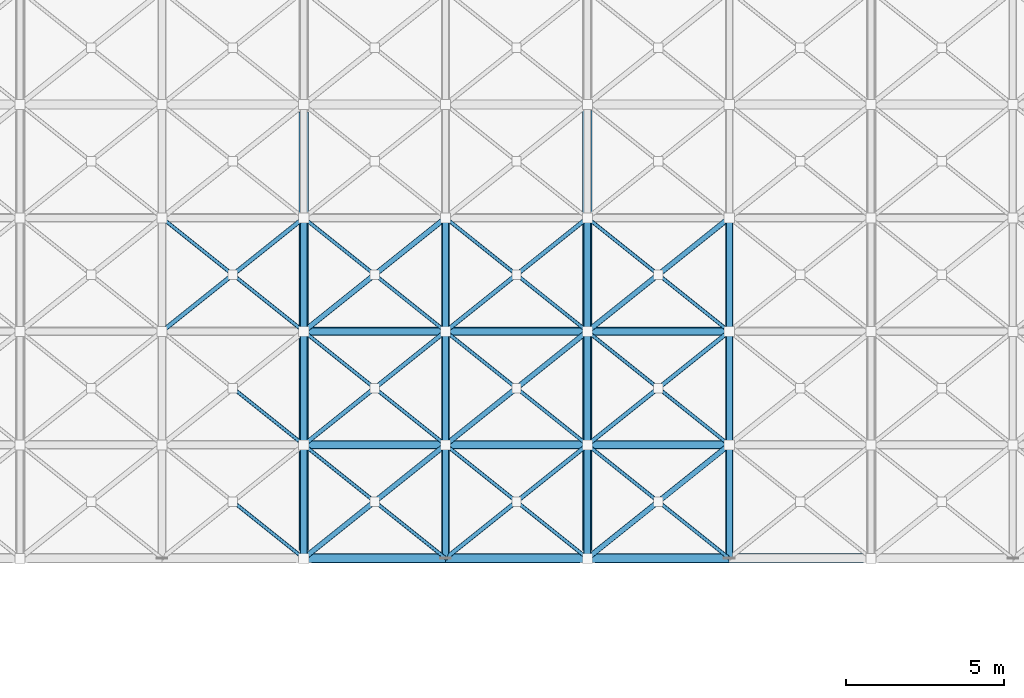
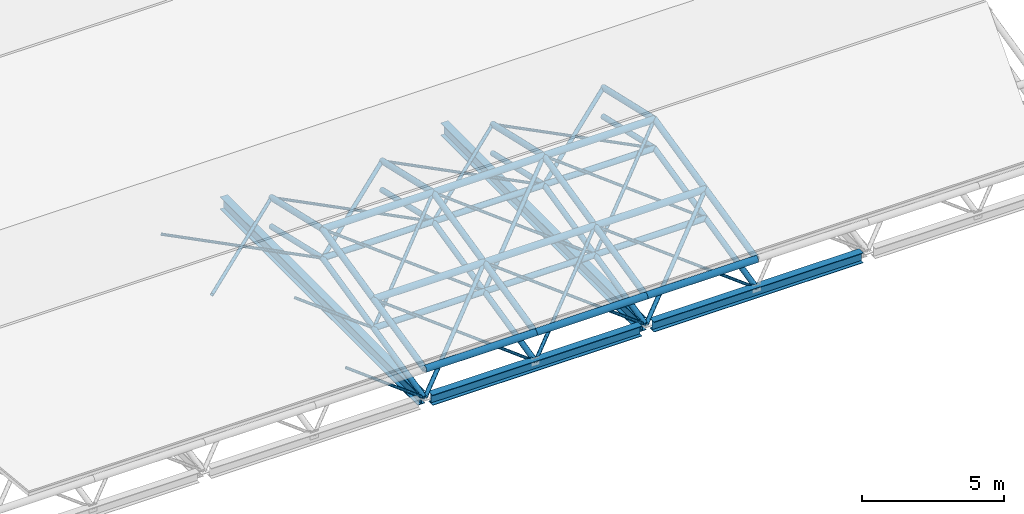
# One storey, part 11 of 110: 71 members, 4 beams.
"""IFC4 building model written with IfcOpenShell, lengths in metres."""

from ifc_helpers import new_model, si_unit, direction, frame, origin, origin_2d, place, context, subcontext, project, spatial, hollow_circle, i_section, extrude, material, material_profile, profile_set, type_object, element, save


model = new_model("IFC4")

# Units and contexts
model_context = context("Model", 3, precision=1e-05, world=origin(), true_north=direction((0.0, 1.0)))
body_context = subcontext(model_context, "Body", "Model", "MODEL_VIEW")
ifc_project = project(units=[si_unit("LENGTHUNIT", "METRE"), si_unit("AREAUNIT", "SQUARE_METRE"), si_unit("VOLUMEUNIT", "CUBIC_METRE"), si_unit("PLANEANGLEUNIT", "RADIAN"), si_unit("MASSUNIT", "GRAM", prefix="KILO")], contexts=[model_context])

# Site, building, storey
site_placement = place(None, origin())
site = spatial("IfcSite", under=ifc_project, at=site_placement, CompositionType="ELEMENT")
building_placement = place(site_placement, origin())
building = spatial("IfcBuilding", under=site, at=building_placement, Name="Tamarisk Ironworks Central Station", CompositionType="ELEMENT")
storey_placement = place(building_placement, frame((0.0, 0.0, 17.39990234375)))
storey = spatial("IfcBuildingStorey", under=building, at=storey_placement, Name="L03", CompositionType="ELEMENT", Elevation=17.39990234375)

# Beams
ifc_material_1 = material(Name="Structural steel S355J2", Category="steel")
ifc_material_profile_1 = material_profile(ifc_material_1, i_section(OverallWidth=0.300048828125, OverallDepth=0.5400390625, WebThickness=0.012451171875, FlangeThickness=0.02392578125, at=origin_2d()), Name="HEA 550")
ifc_profile_set_1 = profile_set([ifc_material_profile_1], Name="Structural steel S355J2")
beam_type_1 = type_object("IfcBeamType", Name="BM-G04", PredefinedType="BEAM", material=ifc_profile_set_1)
beam_1_placement = place(storey_placement, frame((18.0, 21.842041015625, -1.869873046875), z_axis=(0.0, 1.0, 0.0), x_axis=(-1.0, 0.0, 0.0)))
element("IfcBeam", 1, at=beam_1_placement, inside=storey, type_object=beam_type_1, Name="L03 primary girder Y-0590", PredefinedType="BEAM", context=body_context, shape_type="SweptSolid", body=[
    extrude(i_section(OverallWidth=0.300048828125, OverallDepth=0.5400390625, WebThickness=0.012451171875, FlangeThickness=0.02392578125, at=origin_2d()), origin(), (0.0, 0.0, 1.0), 13.916015625),
])
beam_2_placement = place(storey_placement, frame((27.0, 21.842041015625, -1.869873046875), z_axis=(0.0, 1.0, 0.0), x_axis=(-1.0, 0.0, 0.0)))
element("IfcBeam", 2, at=beam_2_placement, inside=storey, type_object=beam_type_1, Name="L03 primary girder Y-0594", PredefinedType="BEAM", context=body_context, shape_type="SweptSolid", body=[
    extrude(i_section(OverallWidth=0.300048828125, OverallDepth=0.5400390625, WebThickness=0.012451171875, FlangeThickness=0.02392578125, at=origin_2d()), origin(), (0.0, 0.0, 1.0), 13.966796875),
])
ifc_material_profile_2 = material_profile(ifc_material_1, i_section(OverallWidth=0.300048828125, OverallDepth=0.43994140625, WebThickness=0.011474609375, FlangeThickness=0.02099609375, at=origin_2d()), Name="HEA 450")
ifc_profile_set_2 = profile_set([ifc_material_profile_2], Name="Structural steel S355J2")
beam_type_2 = type_object("IfcBeamType", Name="BM-G06", PredefinedType="BEAM", material=ifc_profile_set_2)
for number, where, z_axis, x_axis, name in (
    (3, (18.241943359375, 21.60009765625, -1.81982421875), (1.0, 0.0, 0.0), (0.0, 1.0, 0.0), "L03 primary girder X-0542"),
    (4, (27.241943359375, 21.60009765625, -1.81982421875), (1.0, 0.0, 0.0), (0.0, 1.0, 0.0), "L03 primary girder X-0543"),
):
    element("IfcBeam", number, at=place(storey_placement, frame(where, z_axis=z_axis, x_axis=x_axis)), inside=storey, type_object=beam_type_2, Name=name, PredefinedType="BEAM", context=body_context, shape_type="SweptSolid", body=[
        extrude(i_section(OverallWidth=0.300048828125, OverallDepth=0.43994140625, WebThickness=0.011474609375, FlangeThickness=0.02099609375, at=origin_2d()), origin(), (0.0, 0.0, 1.0), 8.51611328125),
    ])

# Members
ifc_material_2 = material(Name="Structural steel S355J2H", Category="steel")
ifc_material_profile_3 = material_profile(ifc_material_2, hollow_circle(Radius=0.136474609375, WallThickness=0.012451171875, at=origin_2d()), Name="CHS 273x12.5")
ifc_profile_set_3 = profile_set([ifc_material_profile_3], Name="Structural steel S355J2H")
member_type_1 = type_object("IfcMemberType", Name="MB-SFC01", PredefinedType="CHORD", material=ifc_profile_set_3)
for number, where, z_axis, x_axis, name in (
    (5, (18.0, 21.60009765625, -0.469970703125), (1.0, 0.0, 0.0), (0.0, 1.0, 0.0), "Train shed space-frame top chord 0079"),
    (6, (22.5, 21.60009765625, -0.469970703125), (1.0, 0.0, 0.0), (0.0, 1.0, 0.0), "Train shed space-frame top chord 0080"),
    (7, (27.0, 21.60009765625, -0.469970703125), (1.0, 0.0, 0.0), (0.0, 1.0, 0.0), "Train shed space-frame top chord 0081"),
    (8, (18.0, 25.199951171875, 0.35498046875), (1.0, 0.0, 0.0), (0.0, 1.0, 0.0), "Train shed space-frame top chord 0089"),
    (9, (22.5, 25.199951171875, 0.35498046875), (1.0, 0.0, 0.0), (0.0, 1.0, 0.0), "Train shed space-frame top chord 0090"),
    (10, (27.0, 25.199951171875, 0.35498046875), (1.0, 0.0, 0.0), (0.0, 1.0, 0.0), "Train shed space-frame top chord 0091"),
    (11, (18.0, 28.800048828125, 1.18017578125), (1.0, 0.0, 0.0), (0.0, 1.0, 0.0), "Train shed space-frame top chord 0099"),
    (12, (22.5, 28.800048828125, 1.18017578125), (1.0, 0.0, 0.0), (0.0, 1.0, 0.0), "Train shed space-frame top chord 0100"),
    (13, (27.0, 28.800048828125, 1.18017578125), (1.0, 0.0, 0.0), (0.0, 1.0, 0.0), "Train shed space-frame top chord 0101"),
):
    element("IfcMember", number, at=place(storey_placement, frame(where, z_axis=z_axis, x_axis=x_axis)), inside=storey, type_object=member_type_1, Name=name, PredefinedType="CHORD", context=body_context, shape_type="SweptSolid", body=[
        extrude(hollow_circle(Radius=0.136474609375, WallThickness=0.012451171875, at=origin_2d()), origin(), (0.0, 0.0, 1.0), 4.5),
    ])
ifc_material_profile_4 = material_profile(ifc_material_2, hollow_circle(Radius=0.122314453125, WallThickness=0.012451171875, at=origin_2d()), Name="CHS 244.5x12.5")
ifc_profile_set_4 = profile_set([ifc_material_profile_4], Name="Structural steel S355J2H")
member_type_2 = type_object("IfcMemberType", Name="MB-SFC02", PredefinedType="CHORD", material=ifc_profile_set_4)
for number, where, z_axis, x_axis, name in (
    (14, (18.0, 25.199951171875, -0.89501953125), (1.0, 0.0, 0.0), (0.0, 1.0, 0.0), "Train shed space-frame bottom chord 0005"),
    (15, (22.5, 25.199951171875, -0.89501953125), (1.0, 0.0, 0.0), (0.0, 1.0, 0.0), "Train shed space-frame bottom chord 0006"),
    (16, (27.0, 25.199951171875, -0.89501953125), (1.0, 0.0, 0.0), (0.0, 1.0, 0.0), "Train shed space-frame bottom chord 0007"),
    (17, (18.0, 28.800048828125, -0.06982421875), (1.0, 0.0, 0.0), (0.0, 1.0, 0.0), "Train shed space-frame bottom chord 0015"),
    (18, (22.5, 28.800048828125, -0.06982421875), (1.0, 0.0, 0.0), (0.0, 1.0, 0.0), "Train shed space-frame bottom chord 0016"),
    (19, (27.0, 28.800048828125, -0.06982421875), (1.0, 0.0, 0.0), (0.0, 1.0, 0.0), "Train shed space-frame bottom chord 0017"),
):
    element("IfcMember", number, at=place(storey_placement, frame(where, z_axis=z_axis, x_axis=x_axis)), inside=storey, type_object=member_type_2, Name=name, PredefinedType="CHORD", context=body_context, shape_type="SweptSolid", body=[
        extrude(hollow_circle(Radius=0.122314453125, WallThickness=0.012451171875, at=origin_2d()), origin(), (0.0, 0.0, 1.0), 4.5),
    ])
member_1_placement = place(storey_placement, frame((18.0, 21.60009765625, -0.469970703125), z_axis=(0.0, 0.974733218107, 0.223372230857), x_axis=(-1.0, 0.0, 0.0)))
element("IfcMember", 20, at=member_1_placement, inside=storey, type_object=member_type_2, Name="Train shed space-frame top transverse chord 0141", PredefinedType="CHORD", context=body_context, shape_type="SweptSolid", body=[
    extrude(hollow_circle(Radius=0.122314453125, WallThickness=0.012451171875, at=origin_2d()), origin(), (0.0, 0.0, 1.0), 3.693115234375),
])
member_2_placement = place(storey_placement, frame((18.0, 25.199951171875, 0.35498046875), z_axis=(0.0, 0.974722123001, 0.223420641241), x_axis=(-1.0, 0.0, 0.0)))
element("IfcMember", 21, at=member_2_placement, inside=storey, type_object=member_type_2, Name="Train shed space-frame top transverse chord 0142", PredefinedType="CHORD", context=body_context, shape_type="SweptSolid", body=[
    extrude(hollow_circle(Radius=0.122314453125, WallThickness=0.012451171875, at=origin_2d()), origin(), (0.0, 0.0, 1.0), 3.693359375),
])
for number, where, z_axis, x_axis, name in (
    (22, (18.0, 28.800048828125, 1.18017578125), (0.0, 0.974718823144, -0.223435037113), (-1.0, 0.0, 0.0), "Train shed space-frame top transverse chord 0143"),
    (23, (22.5, 21.60009765625, -0.469970703125), (0.0, 0.974733218107, 0.223372230857), (-1.0, 0.0, 0.0), "Train shed space-frame top transverse chord 0145"),
):
    element("IfcMember", number, at=place(storey_placement, frame(where, z_axis=z_axis, x_axis=x_axis)), inside=storey, type_object=member_type_2, Name=name, PredefinedType="CHORD", context=body_context, shape_type="SweptSolid", body=[
        extrude(hollow_circle(Radius=0.122314453125, WallThickness=0.012451171875, at=origin_2d()), origin(), (0.0, 0.0, 1.0), 3.693115234375),
    ])
member_3_placement = place(storey_placement, frame((22.5, 25.199951171875, 0.35498046875), z_axis=(0.0, 0.974722123001, 0.223420641241), x_axis=(-1.0, 0.0, 0.0)))
element("IfcMember", 24, at=member_3_placement, inside=storey, type_object=member_type_2, Name="Train shed space-frame top transverse chord 0146", PredefinedType="CHORD", context=body_context, shape_type="SweptSolid", body=[
    extrude(hollow_circle(Radius=0.122314453125, WallThickness=0.012451171875, at=origin_2d()), origin(), (0.0, 0.0, 1.0), 3.693359375),
])
for number, where, z_axis, x_axis, name in (
    (25, (22.5, 28.800048828125, 1.18017578125), (0.0, 0.974718823144, -0.223435037113), (-1.0, 0.0, 0.0), "Train shed space-frame top transverse chord 0147"),
    (26, (27.0, 21.60009765625, -0.469970703125), (0.0, 0.974733218107, 0.223372230857), (-1.0, 0.0, 0.0), "Train shed space-frame top transverse chord 0149"),
):
    element("IfcMember", number, at=place(storey_placement, frame(where, z_axis=z_axis, x_axis=x_axis)), inside=storey, type_object=member_type_2, Name=name, PredefinedType="CHORD", context=body_context, shape_type="SweptSolid", body=[
        extrude(hollow_circle(Radius=0.122314453125, WallThickness=0.012451171875, at=origin_2d()), origin(), (0.0, 0.0, 1.0), 3.693115234375),
    ])
member_4_placement = place(storey_placement, frame((27.0, 25.199951171875, 0.35498046875), z_axis=(0.0, 0.974722123001, 0.223420641241), x_axis=(-1.0, 0.0, 0.0)))
element("IfcMember", 27, at=member_4_placement, inside=storey, type_object=member_type_2, Name="Train shed space-frame top transverse chord 0150", PredefinedType="CHORD", context=body_context, shape_type="SweptSolid", body=[
    extrude(hollow_circle(Radius=0.122314453125, WallThickness=0.012451171875, at=origin_2d()), origin(), (0.0, 0.0, 1.0), 3.693359375),
])
for number, where, z_axis, x_axis, name in (
    (28, (27.0, 28.800048828125, 1.18017578125), (0.0, 0.974718823144, -0.223435037113), (-1.0, 0.0, 0.0), "Train shed space-frame top transverse chord 0151"),
    (29, (31.5, 21.60009765625, -0.469970703125), (0.0, 0.974733218107, 0.223372230857), (-1.0, 0.0, 0.0), "Train shed space-frame top transverse chord 0153"),
):
    element("IfcMember", number, at=place(storey_placement, frame(where, z_axis=z_axis, x_axis=x_axis)), inside=storey, type_object=member_type_2, Name=name, PredefinedType="CHORD", context=body_context, shape_type="SweptSolid", body=[
        extrude(hollow_circle(Radius=0.122314453125, WallThickness=0.012451171875, at=origin_2d()), origin(), (0.0, 0.0, 1.0), 3.693115234375),
    ])
member_5_placement = place(storey_placement, frame((31.5, 25.199951171875, 0.35498046875), z_axis=(0.0, 0.974722123001, 0.223420641241), x_axis=(-1.0, 0.0, 0.0)))
element("IfcMember", 30, at=member_5_placement, inside=storey, type_object=member_type_2, Name="Train shed space-frame top transverse chord 0154", PredefinedType="CHORD", context=body_context, shape_type="SweptSolid", body=[
    extrude(hollow_circle(Radius=0.122314453125, WallThickness=0.012451171875, at=origin_2d()), origin(), (0.0, 0.0, 1.0), 3.693359375),
])
member_6_placement = place(storey_placement, frame((31.5, 28.800048828125, 1.18017578125), z_axis=(0.0, 0.974718823144, -0.223435037113), x_axis=(-1.0, 0.0, 0.0)))
element("IfcMember", 31, at=member_6_placement, inside=storey, type_object=member_type_2, Name="Train shed space-frame top transverse chord 0155", PredefinedType="CHORD", context=body_context, shape_type="SweptSolid", body=[
    extrude(hollow_circle(Radius=0.122314453125, WallThickness=0.012451171875, at=origin_2d()), origin(), (0.0, 0.0, 1.0), 3.693115234375),
])
ifc_material_profile_5 = material_profile(ifc_material_2, hollow_circle(Radius=0.109619140625, WallThickness=0.010009765625, at=origin_2d()), Name="CHS 219.1x10")
ifc_profile_set_5 = profile_set([ifc_material_profile_5], Name="Structural steel S355J2H")
member_type_3 = type_object("IfcMemberType", Name="MB-SFC03", PredefinedType="CHORD", material=ifc_profile_set_5)
member_7_placement = place(storey_placement, frame((18.0, 21.60009765625, -1.719970703125), z_axis=(0.0, 0.974733218107, 0.223372230857), x_axis=(-1.0, 0.0, 0.0)))
element("IfcMember", 32, at=member_7_placement, inside=storey, type_object=member_type_3, Name="Train shed space-frame transverse chord 0047", PredefinedType="CHORD", context=body_context, shape_type="SweptSolid", body=[
    extrude(hollow_circle(Radius=0.109619140625, WallThickness=0.010009765625, at=origin_2d()), origin(), (0.0, 0.0, 1.0), 3.693115234375),
])
member_8_placement = place(storey_placement, frame((18.0, 25.199951171875, -0.89501953125), z_axis=(0.0, 0.974722123001, 0.223420641241), x_axis=(-1.0, 0.0, 0.0)))
element("IfcMember", 33, at=member_8_placement, inside=storey, type_object=member_type_3, Name="Train shed space-frame transverse chord 0048", PredefinedType="CHORD", context=body_context, shape_type="SweptSolid", body=[
    extrude(hollow_circle(Radius=0.109619140625, WallThickness=0.010009765625, at=origin_2d()), origin(), (0.0, 0.0, 1.0), 3.693359375),
])
for number, where, z_axis, x_axis, name in (
    (34, (18.0, 28.800048828125, -0.06982421875), (0.0, 0.974718823144, -0.223435037113), (-1.0, 0.0, 0.0), "Train shed space-frame transverse chord 0049"),
    (35, (22.5, 21.60009765625, -1.719970703125), (0.0, 0.974733218107, 0.223372230857), (-1.0, 0.0, 0.0), "Train shed space-frame transverse chord 0051"),
):
    element("IfcMember", number, at=place(storey_placement, frame(where, z_axis=z_axis, x_axis=x_axis)), inside=storey, type_object=member_type_3, Name=name, PredefinedType="CHORD", context=body_context, shape_type="SweptSolid", body=[
        extrude(hollow_circle(Radius=0.109619140625, WallThickness=0.010009765625, at=origin_2d()), origin(), (0.0, 0.0, 1.0), 3.693115234375),
    ])
member_9_placement = place(storey_placement, frame((22.5, 25.199951171875, -0.89501953125), z_axis=(0.0, 0.974722123001, 0.223420641241), x_axis=(-1.0, 0.0, 0.0)))
element("IfcMember", 36, at=member_9_placement, inside=storey, type_object=member_type_3, Name="Train shed space-frame transverse chord 0052", PredefinedType="CHORD", context=body_context, shape_type="SweptSolid", body=[
    extrude(hollow_circle(Radius=0.109619140625, WallThickness=0.010009765625, at=origin_2d()), origin(), (0.0, 0.0, 1.0), 3.693359375),
])
for number, where, z_axis, x_axis, name in (
    (37, (22.5, 28.800048828125, -0.06982421875), (0.0, 0.974718823144, -0.223435037113), (-1.0, 0.0, 0.0), "Train shed space-frame transverse chord 0053"),
    (38, (27.0, 21.60009765625, -1.719970703125), (0.0, 0.974733218107, 0.223372230857), (-1.0, 0.0, 0.0), "Train shed space-frame transverse chord 0055"),
):
    element("IfcMember", number, at=place(storey_placement, frame(where, z_axis=z_axis, x_axis=x_axis)), inside=storey, type_object=member_type_3, Name=name, PredefinedType="CHORD", context=body_context, shape_type="SweptSolid", body=[
        extrude(hollow_circle(Radius=0.109619140625, WallThickness=0.010009765625, at=origin_2d()), origin(), (0.0, 0.0, 1.0), 3.693115234375),
    ])
member_10_placement = place(storey_placement, frame((27.0, 25.199951171875, -0.89501953125), z_axis=(0.0, 0.974722123001, 0.223420641241), x_axis=(-1.0, 0.0, 0.0)))
element("IfcMember", 39, at=member_10_placement, inside=storey, type_object=member_type_3, Name="Train shed space-frame transverse chord 0056", PredefinedType="CHORD", context=body_context, shape_type="SweptSolid", body=[
    extrude(hollow_circle(Radius=0.109619140625, WallThickness=0.010009765625, at=origin_2d()), origin(), (0.0, 0.0, 1.0), 3.693359375),
])
for number, where, z_axis, x_axis, name in (
    (40, (27.0, 28.800048828125, -0.06982421875), (0.0, 0.974718823144, -0.223435037113), (-1.0, 0.0, 0.0), "Train shed space-frame transverse chord 0057"),
    (41, (31.5, 21.60009765625, -1.719970703125), (0.0, 0.974733218107, 0.223372230857), (-1.0, 0.0, 0.0), "Train shed space-frame transverse chord 0059"),
):
    element("IfcMember", number, at=place(storey_placement, frame(where, z_axis=z_axis, x_axis=x_axis)), inside=storey, type_object=member_type_3, Name=name, PredefinedType="CHORD", context=body_context, shape_type="SweptSolid", body=[
        extrude(hollow_circle(Radius=0.109619140625, WallThickness=0.010009765625, at=origin_2d()), origin(), (0.0, 0.0, 1.0), 3.693115234375),
    ])
member_11_placement = place(storey_placement, frame((31.5, 25.199951171875, -0.89501953125), z_axis=(0.0, 0.974722123001, 0.223420641241), x_axis=(-1.0, 0.0, 0.0)))
element("IfcMember", 42, at=member_11_placement, inside=storey, type_object=member_type_3, Name="Train shed space-frame transverse chord 0060", PredefinedType="CHORD", context=body_context, shape_type="SweptSolid", body=[
    extrude(hollow_circle(Radius=0.109619140625, WallThickness=0.010009765625, at=origin_2d()), origin(), (0.0, 0.0, 1.0), 3.693359375),
])
member_12_placement = place(storey_placement, frame((31.5, 28.800048828125, -0.06982421875), z_axis=(0.0, 0.974718823144, -0.223435037113), x_axis=(-1.0, 0.0, 0.0)))
element("IfcMember", 43, at=member_12_placement, inside=storey, type_object=member_type_3, Name="Train shed space-frame transverse chord 0061", PredefinedType="CHORD", context=body_context, shape_type="SweptSolid", body=[
    extrude(hollow_circle(Radius=0.109619140625, WallThickness=0.010009765625, at=origin_2d()), origin(), (0.0, 0.0, 1.0), 3.693115234375),
])
ifc_material_profile_6 = material_profile(ifc_material_2, hollow_circle(Radius=0.084228515625, WallThickness=0.010009765625, at=origin_2d()), Name="CHS 168.3x10")
ifc_profile_set_6 = profile_set([ifc_material_profile_6], Name="Structural steel S355J2H")
member_type_4 = type_object("IfcMemberType", Name="MB-SFD01", PredefinedType="BRACE", material=ifc_profile_set_6)
member_13_placement = place(storey_placement, frame((18.0, 21.60009765625, -1.719970703125), z_axis=(0.734706189143, 0.587741035097, 0.338773215143), x_axis=(-0.624679547852, 0.780881208953, 0.0)))
element("IfcMember", 44, at=member_13_placement, inside=storey, type_object=member_type_4, Name="Train shed space-frame diagonal 0201", PredefinedType="BRACE", context=body_context, shape_type="SweptSolid", body=[
    extrude(hollow_circle(Radius=0.084228515625, WallThickness=0.010009765625, at=origin_2d()), origin(), (0.0, 0.0, 1.0), 6.125),
])
member_14_placement = place(storey_placement, frame((18.0, 28.800048828125, -0.06982421875), z_axis=(0.778768143722, 0.622989164452, 0.073516523984), x_axis=(-0.624679547852, 0.780881208953, 0.0)))
element("IfcMember", 45, at=member_14_placement, inside=storey, type_object=member_type_4, Name="Train shed space-frame diagonal 0205", PredefinedType="BRACE", context=body_context, shape_type="SweptSolid", body=[
    extrude(hollow_circle(Radius=0.084228515625, WallThickness=0.010009765625, at=origin_2d()), origin(), (0.0, 0.0, 1.0), 5.7783203125),
])
member_15_placement = place(storey_placement, frame((22.5, 25.199951171875, -0.89501953125), z_axis=(0.734679055902, 0.587759188278, 0.338800562889), x_axis=(-0.624705380279, 0.780860543151, 0.0)))
element("IfcMember", 46, at=member_15_placement, inside=storey, type_object=member_type_4, Name="Train shed space-frame diagonal 0211", PredefinedType="BRACE", context=body_context, shape_type="SweptSolid", body=[
    extrude(hollow_circle(Radius=0.084228515625, WallThickness=0.010009765625, at=origin_2d()), origin(), (0.0, 0.0, 1.0), 6.125244140625),
])
member_16_placement = place(storey_placement, frame((27.0, 21.60009765625, -1.719970703125), z_axis=(0.734706189143, 0.587741035097, 0.338773215143), x_axis=(-0.624679547852, 0.780881208953, 0.0)))
element("IfcMember", 47, at=member_16_placement, inside=storey, type_object=member_type_4, Name="Train shed space-frame diagonal 0217", PredefinedType="BRACE", context=body_context, shape_type="SweptSolid", body=[
    extrude(hollow_circle(Radius=0.084228515625, WallThickness=0.010009765625, at=origin_2d()), origin(), (0.0, 0.0, 1.0), 6.125),
])
member_17_placement = place(storey_placement, frame((27.0, 28.800048828125, -0.06982421875), z_axis=(0.778768143722, 0.622989164452, 0.073516523984), x_axis=(-0.624679547852, 0.780881208953, 0.0)))
element("IfcMember", 48, at=member_17_placement, inside=storey, type_object=member_type_4, Name="Train shed space-frame diagonal 0221", PredefinedType="BRACE", context=body_context, shape_type="SweptSolid", body=[
    extrude(hollow_circle(Radius=0.084228515625, WallThickness=0.010009765625, at=origin_2d()), origin(), (0.0, 0.0, 1.0), 5.7783203125),
])
ifc_material_profile_7 = material_profile(ifc_material_2, hollow_circle(Radius=0.06982421875, WallThickness=0.008056640625, at=origin_2d()), Name="CHS 139.7x8")
ifc_profile_set_7 = profile_set([ifc_material_profile_7], Name="Structural steel S355J2H")
member_type_5 = type_object("IfcMemberType", Name="MB-SFD02", PredefinedType="BRACE", material=ifc_profile_set_7)
member_18_placement = place(storey_placement, frame((13.5, 28.800048828125, -0.06982421875), z_axis=(0.778768143722, 0.622989164452, 0.073516523984), x_axis=(-0.624679547852, 0.780881208953, 0.0)))
element("IfcMember", 49, at=member_18_placement, inside=storey, type_object=member_type_5, Name="Train shed space-frame diagonal 0197", PredefinedType="BRACE", context=body_context, shape_type="SweptSolid", body=[
    extrude(hollow_circle(Radius=0.06982421875, WallThickness=0.008056640625, at=origin_2d()), origin(), (0.0, 0.0, 1.0), 5.7783203125),
])
member_19_placement = place(storey_placement, frame((18.0, 25.199951171875, -0.89501953125), z_axis=(0.734679055902, 0.587759188278, 0.338800562889), x_axis=(-0.624705380279, 0.780860543151, 0.0)))
element("IfcMember", 50, at=member_19_placement, inside=storey, type_object=member_type_5, Name="Train shed space-frame diagonal 0203", PredefinedType="BRACE", context=body_context, shape_type="SweptSolid", body=[
    extrude(hollow_circle(Radius=0.06982421875, WallThickness=0.008056640625, at=origin_2d()), origin(), (0.0, 0.0, 1.0), 6.125244140625),
])
member_20_placement = place(storey_placement, frame((22.5, 21.60009765625, -1.719970703125), z_axis=(0.734706189143, 0.587741035097, 0.338773215143), x_axis=(-0.624679547852, 0.780881208953, 0.0)))
element("IfcMember", 51, at=member_20_placement, inside=storey, type_object=member_type_5, Name="Train shed space-frame diagonal 0209", PredefinedType="BRACE", context=body_context, shape_type="SweptSolid", body=[
    extrude(hollow_circle(Radius=0.06982421875, WallThickness=0.008056640625, at=origin_2d()), origin(), (0.0, 0.0, 1.0), 6.125),
])
member_21_placement = place(storey_placement, frame((22.5, 28.800048828125, -0.06982421875), z_axis=(0.778768143722, 0.622989164452, 0.073516523984), x_axis=(-0.624679547852, 0.780881208953, 0.0)))
element("IfcMember", 52, at=member_21_placement, inside=storey, type_object=member_type_5, Name="Train shed space-frame diagonal 0213", PredefinedType="BRACE", context=body_context, shape_type="SweptSolid", body=[
    extrude(hollow_circle(Radius=0.06982421875, WallThickness=0.008056640625, at=origin_2d()), origin(), (0.0, 0.0, 1.0), 5.7783203125),
])
member_22_placement = place(storey_placement, frame((27.0, 25.199951171875, -0.89501953125), z_axis=(0.734679055902, 0.587759188278, 0.338800562889), x_axis=(-0.624705380279, 0.780860543151, 0.0)))
element("IfcMember", 53, at=member_22_placement, inside=storey, type_object=member_type_5, Name="Train shed space-frame diagonal 0219", PredefinedType="BRACE", context=body_context, shape_type="SweptSolid", body=[
    extrude(hollow_circle(Radius=0.06982421875, WallThickness=0.008056640625, at=origin_2d()), origin(), (0.0, 0.0, 1.0), 6.125244140625),
])
ifc_material_profile_8 = material_profile(ifc_material_2, hollow_circle(Radius=0.05712890625, WallThickness=0.00634765625, at=origin_2d()), Name="CHS 114.3x6.3")
ifc_profile_set_8 = profile_set([ifc_material_profile_8], Name="Structural steel S355J2H")
member_type_6 = type_object("IfcMemberType", Name="MB-SFD03", PredefinedType="BRACE", material=ifc_profile_set_8)
member_23_placement = place(storey_placement, frame((18.0, 21.60009765625, -1.719970703125), z_axis=(-0.734712152648, 0.587704782363, 0.33882317149), x_axis=(-0.624652959802, -0.780902477785, 0.0)))
element("IfcMember", 54, at=member_23_placement, inside=storey, type_object=member_type_6, Name="Train shed space-frame split counter-diagonal lower 0194", PredefinedType="BRACE", context=body_context, shape_type="SweptSolid", body=[
    extrude(hollow_circle(Radius=0.05712890625, WallThickness=0.00634765625, at=origin_2d()), origin(), (0.0, 0.0, 1.0), 3.007568359375),
])
member_24_placement = place(storey_placement, frame((18.0, 25.199951171875, -0.89501953125), z_axis=(-0.734677102003, 0.587757915766, 0.338807007376), x_axis=(-0.624705568642, -0.780860392457, 0.0)))
element("IfcMember", 55, at=member_24_placement, inside=storey, type_object=member_type_6, Name="Train shed space-frame split counter-diagonal lower 0196", PredefinedType="BRACE", context=body_context, shape_type="SweptSolid", body=[
    extrude(hollow_circle(Radius=0.05712890625, WallThickness=0.00634765625, at=origin_2d()), origin(), (0.0, 0.0, 1.0), 3.0078125),
])
for number, where, z_axis, x_axis, name in (
    (56, (18.0, 28.800048828125, -0.06982421875), (-0.778786711003, 0.622960457248, 0.073563084968), (-0.624652913247, -0.780902515025, 0.0), "Train shed space-frame split counter-diagonal lower 0198"),
    (57, (15.707275390625, 30.63427734375, 0.146484375), (-0.778786711003, 0.622960457248, 0.073563084968), (-0.624652913247, -0.780902515025, 0.0), "Train shed space-frame split counter-diagonal upper 0198"),
):
    element("IfcMember", number, at=place(storey_placement, frame(where, z_axis=z_axis, x_axis=x_axis)), inside=storey, type_object=member_type_6, Name=name, PredefinedType="BRACE", context=body_context, shape_type="SweptSolid", body=[
        extrude(hollow_circle(Radius=0.05712890625, WallThickness=0.00634765625, at=origin_2d()), origin(), (0.0, 0.0, 1.0), 2.834228515625),
    ])
for number, where, z_axis, x_axis, name in (
    (58, (22.5, 21.60009765625, -1.719970703125), (-0.734712152648, 0.587704782363, 0.33882317149), (-0.624652959802, -0.780902477785, 0.0), "Train shed space-frame split counter-diagonal lower 0202"),
    (59, (20.209716796875, 23.432373046875, -0.663818359375), (-0.734732358486, 0.587720945248, 0.338751312779), (-0.624652959802, -0.780902477785, 0.0), "Train shed space-frame split counter-diagonal upper 0202"),
):
    element("IfcMember", number, at=place(storey_placement, frame(where, z_axis=z_axis, x_axis=x_axis)), inside=storey, type_object=member_type_6, Name=name, PredefinedType="BRACE", context=body_context, shape_type="SweptSolid", body=[
        extrude(hollow_circle(Radius=0.05712890625, WallThickness=0.00634765625, at=origin_2d()), origin(), (0.0, 0.0, 1.0), 3.007568359375),
    ])
for number, where, z_axis, x_axis, name in (
    (60, (22.5, 25.199951171875, -0.89501953125), (-0.734677102003, 0.587757915766, 0.338807007376), (-0.624705568642, -0.780860392457, 0.0), "Train shed space-frame split counter-diagonal lower 0204"),
    (61, (20.209716796875, 27.0322265625, 0.1611328125), (-0.734677102003, 0.587757915766, 0.338807007376), (-0.624705568642, -0.780860392457, 0.0), "Train shed space-frame split counter-diagonal upper 0204"),
):
    element("IfcMember", number, at=place(storey_placement, frame(where, z_axis=z_axis, x_axis=x_axis)), inside=storey, type_object=member_type_6, Name=name, PredefinedType="BRACE", context=body_context, shape_type="SweptSolid", body=[
        extrude(hollow_circle(Radius=0.05712890625, WallThickness=0.00634765625, at=origin_2d()), origin(), (0.0, 0.0, 1.0), 3.0078125),
    ])
for number, where, z_axis, x_axis, name in (
    (62, (22.5, 28.800048828125, -0.06982421875), (-0.778786711003, 0.622960457248, 0.073563084968), (-0.624652913247, -0.780902515025, 0.0), "Train shed space-frame split counter-diagonal lower 0206"),
    (63, (20.207275390625, 30.63427734375, 0.146484375), (-0.778786711003, 0.622960457248, 0.073563084968), (-0.624652913247, -0.780902515025, 0.0), "Train shed space-frame split counter-diagonal upper 0206"),
):
    element("IfcMember", number, at=place(storey_placement, frame(where, z_axis=z_axis, x_axis=x_axis)), inside=storey, type_object=member_type_6, Name=name, PredefinedType="BRACE", context=body_context, shape_type="SweptSolid", body=[
        extrude(hollow_circle(Radius=0.05712890625, WallThickness=0.00634765625, at=origin_2d()), origin(), (0.0, 0.0, 1.0), 2.834228515625),
    ])
for number, where, z_axis, x_axis, name in (
    (64, (27.0, 21.60009765625, -1.719970703125), (-0.734712152648, 0.587704782363, 0.33882317149), (-0.624652959802, -0.780902477785, 0.0), "Train shed space-frame split counter-diagonal lower 0210"),
    (65, (24.709716796875, 23.432373046875, -0.663818359375), (-0.734732358486, 0.587720945248, 0.338751312779), (-0.624652959802, -0.780902477785, 0.0), "Train shed space-frame split counter-diagonal upper 0210"),
):
    element("IfcMember", number, at=place(storey_placement, frame(where, z_axis=z_axis, x_axis=x_axis)), inside=storey, type_object=member_type_6, Name=name, PredefinedType="BRACE", context=body_context, shape_type="SweptSolid", body=[
        extrude(hollow_circle(Radius=0.05712890625, WallThickness=0.00634765625, at=origin_2d()), origin(), (0.0, 0.0, 1.0), 3.007568359375),
    ])
for number, where, z_axis, x_axis, name in (
    (66, (27.0, 25.199951171875, -0.89501953125), (-0.734677102003, 0.587757915766, 0.338807007376), (-0.624705568642, -0.780860392457, 0.0), "Train shed space-frame split counter-diagonal lower 0212"),
    (67, (24.709716796875, 27.0322265625, 0.1611328125), (-0.734677102003, 0.587757915766, 0.338807007376), (-0.624705568642, -0.780860392457, 0.0), "Train shed space-frame split counter-diagonal upper 0212"),
):
    element("IfcMember", number, at=place(storey_placement, frame(where, z_axis=z_axis, x_axis=x_axis)), inside=storey, type_object=member_type_6, Name=name, PredefinedType="BRACE", context=body_context, shape_type="SweptSolid", body=[
        extrude(hollow_circle(Radius=0.05712890625, WallThickness=0.00634765625, at=origin_2d()), origin(), (0.0, 0.0, 1.0), 3.0078125),
    ])
for number, where, z_axis, x_axis, name in (
    (68, (27.0, 28.800048828125, -0.06982421875), (-0.778786711003, 0.622960457248, 0.073563084968), (-0.624652913247, -0.780902515025, 0.0), "Train shed space-frame split counter-diagonal lower 0214"),
    (69, (24.707275390625, 30.63427734375, 0.146484375), (-0.778786711003, 0.622960457248, 0.073563084968), (-0.624652913247, -0.780902515025, 0.0), "Train shed space-frame split counter-diagonal upper 0214"),
):
    element("IfcMember", number, at=place(storey_placement, frame(where, z_axis=z_axis, x_axis=x_axis)), inside=storey, type_object=member_type_6, Name=name, PredefinedType="BRACE", context=body_context, shape_type="SweptSolid", body=[
        extrude(hollow_circle(Radius=0.05712890625, WallThickness=0.00634765625, at=origin_2d()), origin(), (0.0, 0.0, 1.0), 2.834228515625),
    ])
for number, where, z_axis, x_axis, name in (
    (70, (31.5, 21.60009765625, -1.719970703125), (-0.734712152648, 0.587704782363, 0.33882317149), (-0.624652959802, -0.780902477785, 0.0), "Train shed space-frame split counter-diagonal lower 0218"),
    (71, (29.209716796875, 23.432373046875, -0.663818359375), (-0.734732358486, 0.587720945248, 0.338751312779), (-0.624652959802, -0.780902477785, 0.0), "Train shed space-frame split counter-diagonal upper 0218"),
):
    element("IfcMember", number, at=place(storey_placement, frame(where, z_axis=z_axis, x_axis=x_axis)), inside=storey, type_object=member_type_6, Name=name, PredefinedType="BRACE", context=body_context, shape_type="SweptSolid", body=[
        extrude(hollow_circle(Radius=0.05712890625, WallThickness=0.00634765625, at=origin_2d()), origin(), (0.0, 0.0, 1.0), 3.007568359375),
    ])
for number, where, z_axis, x_axis, name in (
    (72, (31.5, 25.199951171875, -0.89501953125), (-0.734677102003, 0.587757915766, 0.338807007376), (-0.624705568642, -0.780860392457, 0.0), "Train shed space-frame split counter-diagonal lower 0220"),
    (73, (29.209716796875, 27.0322265625, 0.1611328125), (-0.734677102003, 0.587757915766, 0.338807007376), (-0.624705568642, -0.780860392457, 0.0), "Train shed space-frame split counter-diagonal upper 0220"),
):
    element("IfcMember", number, at=place(storey_placement, frame(where, z_axis=z_axis, x_axis=x_axis)), inside=storey, type_object=member_type_6, Name=name, PredefinedType="BRACE", context=body_context, shape_type="SweptSolid", body=[
        extrude(hollow_circle(Radius=0.05712890625, WallThickness=0.00634765625, at=origin_2d()), origin(), (0.0, 0.0, 1.0), 3.0078125),
    ])
for number, where, z_axis, x_axis, name in (
    (74, (31.5, 28.800048828125, -0.06982421875), (-0.778786711003, 0.622960457248, 0.073563084968), (-0.624652913247, -0.780902515025, 0.0), "Train shed space-frame split counter-diagonal lower 0222"),
    (75, (29.207275390625, 30.63427734375, 0.146484375), (-0.778786711003, 0.622960457248, 0.073563084968), (-0.624652913247, -0.780902515025, 0.0), "Train shed space-frame split counter-diagonal upper 0222"),
):
    element("IfcMember", number, at=place(storey_placement, frame(where, z_axis=z_axis, x_axis=x_axis)), inside=storey, type_object=member_type_6, Name=name, PredefinedType="BRACE", context=body_context, shape_type="SweptSolid", body=[
        extrude(hollow_circle(Radius=0.05712890625, WallThickness=0.00634765625, at=origin_2d()), origin(), (0.0, 0.0, 1.0), 2.834228515625),
    ])

save(model, "model.ifc")
